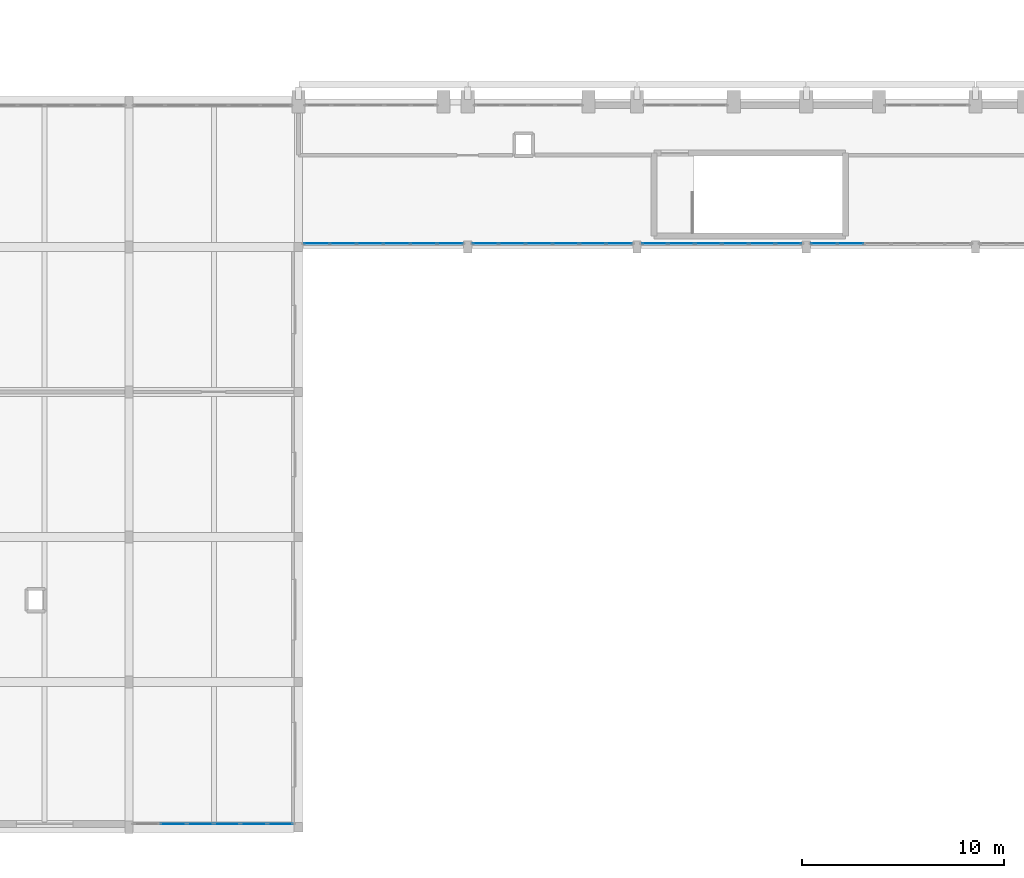
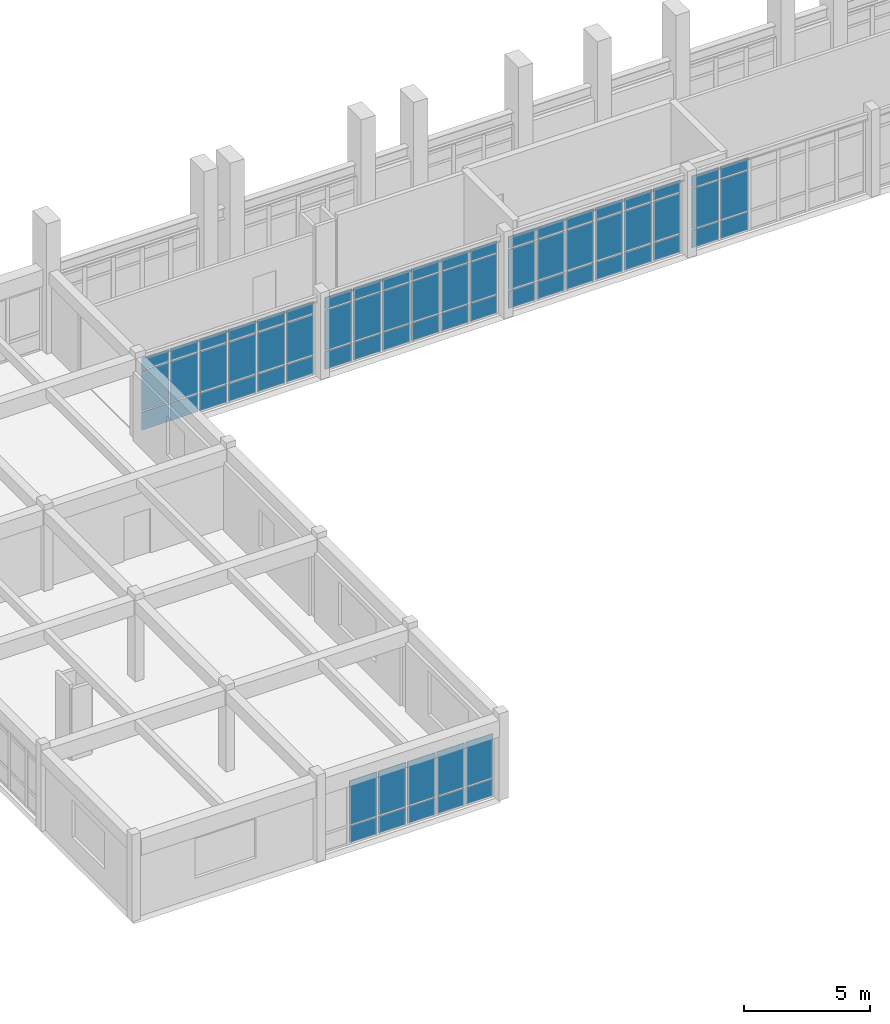
# One storey, part 115 of 147: 70 plates, 5 elements without a shape of their own.
"""IFC4 building model written with IfcOpenShell, lengths in metres."""

from ifc_helpers import new_model, si_unit, direction, frame, origin, origin_2d, place, context, subcontext, project, spatial, rectangle, extrude, material, layer, layer_set, type_object, element, aggregate, save


model = new_model("IFC4")

# Units and contexts
model_context = context("Model", 3, precision=1e-05, world=origin(), true_north=direction((0.0, 1.0)))
body_context = subcontext(model_context, "Body", "Model", "MODEL_VIEW")
ifc_project = project(units=[si_unit("LENGTHUNIT", "METRE"), si_unit("AREAUNIT", "SQUARE_METRE"), si_unit("VOLUMEUNIT", "CUBIC_METRE"), si_unit("PLANEANGLEUNIT", "RADIAN"), si_unit("MASSUNIT", "GRAM", prefix="KILO")], contexts=[model_context])

# Site, building, storey
site_placement = place(None, origin())
site = spatial("IfcSite", under=ifc_project, at=site_placement, CompositionType="ELEMENT")
building_placement = place(site_placement, origin())
building = spatial("IfcBuilding", under=site, at=building_placement, Name="Malvenik Polytechnic", CompositionType="ELEMENT")
storey_placement = place(building_placement, frame((0.0, 0.0, 5.10009765625)))
storey = spatial("IfcBuildingStorey", under=building, at=storey_placement, Name="L01", CompositionType="ELEMENT", Elevation=5.10009765625)

# Curtain wall, plates
ifc_material_1 = material(Name="Anodised aluminium 6060-T6", Category="aluminium")
curtain_wall_type = type_object("IfcCurtainWallType", Name="ARC-CW-CW-02", PredefinedType="NOTDEFINED", material=ifc_material_1)
curtain_wall_1_placement = place(storey_placement, origin())
curtain_wall_1 = element("IfcCurtainWall", 1, at=curtain_wall_1_placement, inside=storey, type_object=curtain_wall_type, Name="Unitised Curtain Wall CW-02 L01 #107", PredefinedType="NOTDEFINED")
ifc_material_2 = material(Name="Insulated low-E double glazing 8-16-8", Category="glass")
ifc_layer_1 = layer(ifc_material_2, 0.028076171875)
ifc_layer_set_1 = layer_set([ifc_layer_1], Name="Insulated low-E double glazing 8-16-8")
plate_type_1 = type_object("IfcPlateType", Name="ARC-CWP-CP-GLZ28", PredefinedType="CURTAIN_PANEL", material=ifc_layer_set_1)
plate_1_placement = place(storey_placement, frame((161.799072265625, 28.969970703125, 0.97998046875), z_axis=(0.0, 0.0, 1.0), x_axis=(-1.0, 0.0, 0.0)))
plate_1 = element("IfcPlate", 2, at=plate_1_placement, type_object=plate_type_1, Name="CW-02 panel 5.2", PredefinedType="CURTAIN_PANEL", context=body_context, shape_type="SweptSolid", body=[
    extrude(rectangle(XDim=1.27392578125, YDim=0.028076171875, at=origin_2d()), origin(), (0.0, 0.0, 1.0), 1.93798828125),
])
plate_2_placement = place(storey_placement, frame((161.799072265625, 28.969970703125, 2.977783203125), z_axis=(0.0, 0.0, 1.0), x_axis=(-1.0, 0.0, 0.0)))
plate_2 = element("IfcPlate", 3, at=plate_2_placement, type_object=plate_type_1, Name="CW-02 panel 5.3", PredefinedType="CURTAIN_PANEL", context=body_context, shape_type="SweptSolid", body=[
    extrude(rectangle(XDim=1.27392578125, YDim=0.028076171875, at=origin_2d()), origin(), (0.0, 0.0, 1.0), 0.56005859375),
])
plate_3_placement = place(storey_placement, frame((160.47998046875, 28.969970703125, 0.97998046875), z_axis=(0.0, 0.0, 1.0), x_axis=(-1.0, 0.0, 0.0)))
plate_3 = element("IfcPlate", 4, at=plate_3_placement, type_object=plate_type_1, Name="CW-02 panel 6.2", PredefinedType="CURTAIN_PANEL", context=body_context, shape_type="SweptSolid", body=[
    extrude(rectangle(XDim=1.243896484375, YDim=0.028076171875, at=origin_2d()), origin(), (0.0, 0.0, 1.0), 1.93798828125),
])
plate_4_placement = place(storey_placement, frame((160.47998046875, 28.969970703125, 2.977783203125), z_axis=(0.0, 0.0, 1.0), x_axis=(-1.0, 0.0, 0.0)))
plate_4 = element("IfcPlate", 5, at=plate_4_placement, type_object=plate_type_1, Name="CW-02 panel 6.3", PredefinedType="CURTAIN_PANEL", context=body_context, shape_type="SweptSolid", body=[
    extrude(rectangle(XDim=1.243896484375, YDim=0.028076171875, at=origin_2d()), origin(), (0.0, 0.0, 1.0), 0.56005859375),
])

curtain_wall_2_placement = place(storey_placement, origin())
curtain_wall_2 = element("IfcCurtainWall", 6, at=curtain_wall_2_placement, inside=storey, type_object=curtain_wall_type, Name="Unitised Curtain Wall CW-02 L01 #108", PredefinedType="NOTDEFINED")
plate_5_placement = place(storey_placement, frame((158.719970703125, 28.969970703125, 0.97998046875), z_axis=(0.0, 0.0, 1.0), x_axis=(-1.0, 0.0, 0.0)))
plate_5 = element("IfcPlate", 7, at=plate_5_placement, type_object=plate_type_1, Name="CW-02 panel 1.2", PredefinedType="CURTAIN_PANEL", context=body_context, shape_type="SweptSolid", body=[
    extrude(rectangle(XDim=1.243896484375, YDim=0.028076171875, at=origin_2d()), origin(), (0.0, 0.0, 1.0), 1.93798828125),
])
plate_6_placement = place(storey_placement, frame((158.719970703125, 28.969970703125, 2.977783203125), z_axis=(0.0, 0.0, 1.0), x_axis=(-1.0, 0.0, 0.0)))
plate_6 = element("IfcPlate", 8, at=plate_6_placement, type_object=plate_type_1, Name="CW-02 panel 1.3", PredefinedType="CURTAIN_PANEL", context=body_context, shape_type="SweptSolid", body=[
    extrude(rectangle(XDim=1.243896484375, YDim=0.028076171875, at=origin_2d()), origin(), (0.0, 0.0, 1.0), 0.56005859375),
])
plate_7_placement = place(storey_placement, frame((157.40087890625, 28.969970703125, 0.97998046875), z_axis=(0.0, 0.0, 1.0), x_axis=(-1.0, 0.0, 0.0)))
plate_7 = element("IfcPlate", 9, at=plate_7_placement, type_object=plate_type_1, Name="CW-02 panel 2.2", PredefinedType="CURTAIN_PANEL", context=body_context, shape_type="SweptSolid", body=[
    extrude(rectangle(XDim=1.27392578125, YDim=0.028076171875, at=origin_2d()), origin(), (0.0, 0.0, 1.0), 1.93798828125),
])
plate_8_placement = place(storey_placement, frame((157.40087890625, 28.969970703125, 2.977783203125), z_axis=(0.0, 0.0, 1.0), x_axis=(-1.0, 0.0, 0.0)))
plate_8 = element("IfcPlate", 10, at=plate_8_placement, type_object=plate_type_1, Name="CW-02 panel 2.3", PredefinedType="CURTAIN_PANEL", context=body_context, shape_type="SweptSolid", body=[
    extrude(rectangle(XDim=1.27392578125, YDim=0.028076171875, at=origin_2d()), origin(), (0.0, 0.0, 1.0), 0.56005859375),
])
plate_9_placement = place(storey_placement, frame((156.06689453125, 28.969970703125, 0.97998046875), z_axis=(0.0, 0.0, 1.0), x_axis=(-1.0, 0.0, 0.0)))
plate_9 = element("IfcPlate", 11, at=plate_9_placement, type_object=plate_type_1, Name="CW-02 panel 3.2", PredefinedType="CURTAIN_PANEL", context=body_context, shape_type="SweptSolid", body=[
    extrude(rectangle(XDim=1.27392578125, YDim=0.028076171875, at=origin_2d()), origin(), (0.0, 0.0, 1.0), 1.93798828125),
])
plate_10_placement = place(storey_placement, frame((156.06689453125, 28.969970703125, 2.977783203125), z_axis=(0.0, 0.0, 1.0), x_axis=(-1.0, 0.0, 0.0)))
plate_10 = element("IfcPlate", 12, at=plate_10_placement, type_object=plate_type_1, Name="CW-02 panel 3.3", PredefinedType="CURTAIN_PANEL", context=body_context, shape_type="SweptSolid", body=[
    extrude(rectangle(XDim=1.27392578125, YDim=0.028076171875, at=origin_2d()), origin(), (0.0, 0.0, 1.0), 0.56005859375),
])
plate_11_placement = place(storey_placement, frame((154.73291015625, 28.969970703125, 0.97998046875), z_axis=(0.0, 0.0, 1.0), x_axis=(-1.0, 0.0, 0.0)))
plate_11 = element("IfcPlate", 13, at=plate_11_placement, type_object=plate_type_1, Name="CW-02 panel 4.2", PredefinedType="CURTAIN_PANEL", context=body_context, shape_type="SweptSolid", body=[
    extrude(rectangle(XDim=1.27392578125, YDim=0.028076171875, at=origin_2d()), origin(), (0.0, 0.0, 1.0), 1.93798828125),
])
plate_12_placement = place(storey_placement, frame((154.73291015625, 28.969970703125, 2.977783203125), z_axis=(0.0, 0.0, 1.0), x_axis=(-1.0, 0.0, 0.0)))
plate_12 = element("IfcPlate", 14, at=plate_12_placement, type_object=plate_type_1, Name="CW-02 panel 4.3", PredefinedType="CURTAIN_PANEL", context=body_context, shape_type="SweptSolid", body=[
    extrude(rectangle(XDim=1.27392578125, YDim=0.028076171875, at=origin_2d()), origin(), (0.0, 0.0, 1.0), 0.56005859375),
])
plate_13_placement = place(storey_placement, frame((153.39892578125, 28.969970703125, 0.97998046875), z_axis=(0.0, 0.0, 1.0), x_axis=(-1.0, 0.0, 0.0)))
plate_13 = element("IfcPlate", 15, at=plate_13_placement, type_object=plate_type_1, Name="CW-02 panel 5.2", PredefinedType="CURTAIN_PANEL", context=body_context, shape_type="SweptSolid", body=[
    extrude(rectangle(XDim=1.27392578125, YDim=0.028076171875, at=origin_2d()), origin(), (0.0, 0.0, 1.0), 1.93798828125),
])
plate_14_placement = place(storey_placement, frame((153.39892578125, 28.969970703125, 2.977783203125), z_axis=(0.0, 0.0, 1.0), x_axis=(-1.0, 0.0, 0.0)))
plate_14 = element("IfcPlate", 16, at=plate_14_placement, type_object=plate_type_1, Name="CW-02 panel 5.3", PredefinedType="CURTAIN_PANEL", context=body_context, shape_type="SweptSolid", body=[
    extrude(rectangle(XDim=1.27392578125, YDim=0.028076171875, at=origin_2d()), origin(), (0.0, 0.0, 1.0), 0.56005859375),
])
plate_15_placement = place(storey_placement, frame((152.080078125, 28.969970703125, 0.97998046875), z_axis=(0.0, 0.0, 1.0), x_axis=(-1.0, 0.0, 0.0)))
plate_15 = element("IfcPlate", 17, at=plate_15_placement, type_object=plate_type_1, Name="CW-02 panel 6.2", PredefinedType="CURTAIN_PANEL", context=body_context, shape_type="SweptSolid", body=[
    extrude(rectangle(XDim=1.243896484375, YDim=0.028076171875, at=origin_2d()), origin(), (0.0, 0.0, 1.0), 1.93798828125),
])
plate_16_placement = place(storey_placement, frame((152.080078125, 28.969970703125, 2.977783203125), z_axis=(0.0, 0.0, 1.0), x_axis=(-1.0, 0.0, 0.0)))
plate_16 = element("IfcPlate", 18, at=plate_16_placement, type_object=plate_type_1, Name="CW-02 panel 6.3", PredefinedType="CURTAIN_PANEL", context=body_context, shape_type="SweptSolid", body=[
    extrude(rectangle(XDim=1.243896484375, YDim=0.028076171875, at=origin_2d()), origin(), (0.0, 0.0, 1.0), 0.56005859375),
])

curtain_wall_3_placement = place(storey_placement, origin())
curtain_wall_3 = element("IfcCurtainWall", 19, at=curtain_wall_3_placement, inside=storey, type_object=curtain_wall_type, Name="Unitised Curtain Wall CW-02 L01 #109", PredefinedType="NOTDEFINED")
plate_17_placement = place(storey_placement, frame((150.320068359375, 28.969970703125, 0.97998046875), z_axis=(0.0, 0.0, 1.0), x_axis=(-1.0, 0.0, 0.0)))
plate_17 = element("IfcPlate", 20, at=plate_17_placement, type_object=plate_type_1, Name="CW-02 panel 1.2", PredefinedType="CURTAIN_PANEL", context=body_context, shape_type="SweptSolid", body=[
    extrude(rectangle(XDim=1.243896484375, YDim=0.028076171875, at=origin_2d()), origin(), (0.0, 0.0, 1.0), 1.93798828125),
])
plate_18_placement = place(storey_placement, frame((150.320068359375, 28.969970703125, 2.977783203125), z_axis=(0.0, 0.0, 1.0), x_axis=(-1.0, 0.0, 0.0)))
plate_18 = element("IfcPlate", 21, at=plate_18_placement, type_object=plate_type_1, Name="CW-02 panel 1.3", PredefinedType="CURTAIN_PANEL", context=body_context, shape_type="SweptSolid", body=[
    extrude(rectangle(XDim=1.243896484375, YDim=0.028076171875, at=origin_2d()), origin(), (0.0, 0.0, 1.0), 0.56005859375),
])
plate_19_placement = place(storey_placement, frame((149.0009765625, 28.969970703125, 0.97998046875), z_axis=(0.0, 0.0, 1.0), x_axis=(-1.0, 0.0, 0.0)))
plate_19 = element("IfcPlate", 22, at=plate_19_placement, type_object=plate_type_1, Name="CW-02 panel 2.2", PredefinedType="CURTAIN_PANEL", context=body_context, shape_type="SweptSolid", body=[
    extrude(rectangle(XDim=1.27392578125, YDim=0.028076171875, at=origin_2d()), origin(), (0.0, 0.0, 1.0), 1.93798828125),
])
plate_20_placement = place(storey_placement, frame((149.0009765625, 28.969970703125, 2.977783203125), z_axis=(0.0, 0.0, 1.0), x_axis=(-1.0, 0.0, 0.0)))
plate_20 = element("IfcPlate", 23, at=plate_20_placement, type_object=plate_type_1, Name="CW-02 panel 2.3", PredefinedType="CURTAIN_PANEL", context=body_context, shape_type="SweptSolid", body=[
    extrude(rectangle(XDim=1.27392578125, YDim=0.028076171875, at=origin_2d()), origin(), (0.0, 0.0, 1.0), 0.56005859375),
])
plate_21_placement = place(storey_placement, frame((147.6669921875, 28.969970703125, 0.97998046875), z_axis=(0.0, 0.0, 1.0), x_axis=(-1.0, 0.0, 0.0)))
plate_21 = element("IfcPlate", 24, at=plate_21_placement, type_object=plate_type_1, Name="CW-02 panel 3.2", PredefinedType="CURTAIN_PANEL", context=body_context, shape_type="SweptSolid", body=[
    extrude(rectangle(XDim=1.27392578125, YDim=0.028076171875, at=origin_2d()), origin(), (0.0, 0.0, 1.0), 1.93798828125),
])
plate_22_placement = place(storey_placement, frame((147.6669921875, 28.969970703125, 2.977783203125), z_axis=(0.0, 0.0, 1.0), x_axis=(-1.0, 0.0, 0.0)))
plate_22 = element("IfcPlate", 25, at=plate_22_placement, type_object=plate_type_1, Name="CW-02 panel 3.3", PredefinedType="CURTAIN_PANEL", context=body_context, shape_type="SweptSolid", body=[
    extrude(rectangle(XDim=1.27392578125, YDim=0.028076171875, at=origin_2d()), origin(), (0.0, 0.0, 1.0), 0.56005859375),
])
plate_23_placement = place(storey_placement, frame((146.3330078125, 28.969970703125, 0.97998046875), z_axis=(0.0, 0.0, 1.0), x_axis=(-1.0, 0.0, 0.0)))
plate_23 = element("IfcPlate", 26, at=plate_23_placement, type_object=plate_type_1, Name="CW-02 panel 4.2", PredefinedType="CURTAIN_PANEL", context=body_context, shape_type="SweptSolid", body=[
    extrude(rectangle(XDim=1.27392578125, YDim=0.028076171875, at=origin_2d()), origin(), (0.0, 0.0, 1.0), 1.93798828125),
])
plate_24_placement = place(storey_placement, frame((146.3330078125, 28.969970703125, 2.977783203125), z_axis=(0.0, 0.0, 1.0), x_axis=(-1.0, 0.0, 0.0)))
plate_24 = element("IfcPlate", 27, at=plate_24_placement, type_object=plate_type_1, Name="CW-02 panel 4.3", PredefinedType="CURTAIN_PANEL", context=body_context, shape_type="SweptSolid", body=[
    extrude(rectangle(XDim=1.27392578125, YDim=0.028076171875, at=origin_2d()), origin(), (0.0, 0.0, 1.0), 0.56005859375),
])
plate_25_placement = place(storey_placement, frame((144.9990234375, 28.969970703125, 0.97998046875), z_axis=(0.0, 0.0, 1.0), x_axis=(-1.0, 0.0, 0.0)))
plate_25 = element("IfcPlate", 28, at=plate_25_placement, type_object=plate_type_1, Name="CW-02 panel 5.2", PredefinedType="CURTAIN_PANEL", context=body_context, shape_type="SweptSolid", body=[
    extrude(rectangle(XDim=1.27392578125, YDim=0.028076171875, at=origin_2d()), origin(), (0.0, 0.0, 1.0), 1.93798828125),
])
plate_26_placement = place(storey_placement, frame((144.9990234375, 28.969970703125, 2.977783203125), z_axis=(0.0, 0.0, 1.0), x_axis=(-1.0, 0.0, 0.0)))
plate_26 = element("IfcPlate", 29, at=plate_26_placement, type_object=plate_type_1, Name="CW-02 panel 5.3", PredefinedType="CURTAIN_PANEL", context=body_context, shape_type="SweptSolid", body=[
    extrude(rectangle(XDim=1.27392578125, YDim=0.028076171875, at=origin_2d()), origin(), (0.0, 0.0, 1.0), 0.56005859375),
])
plate_27_placement = place(storey_placement, frame((143.679931640625, 28.969970703125, 0.97998046875), z_axis=(0.0, 0.0, 1.0), x_axis=(-1.0, 0.0, 0.0)))
plate_27 = element("IfcPlate", 30, at=plate_27_placement, type_object=plate_type_1, Name="CW-02 panel 6.2", PredefinedType="CURTAIN_PANEL", context=body_context, shape_type="SweptSolid", body=[
    extrude(rectangle(XDim=1.243896484375, YDim=0.028076171875, at=origin_2d()), origin(), (0.0, 0.0, 1.0), 1.93798828125),
])
plate_28_placement = place(storey_placement, frame((143.679931640625, 28.969970703125, 2.977783203125), z_axis=(0.0, 0.0, 1.0), x_axis=(-1.0, 0.0, 0.0)))
plate_28 = element("IfcPlate", 31, at=plate_28_placement, type_object=plate_type_1, Name="CW-02 panel 6.3", PredefinedType="CURTAIN_PANEL", context=body_context, shape_type="SweptSolid", body=[
    extrude(rectangle(XDim=1.243896484375, YDim=0.028076171875, at=origin_2d()), origin(), (0.0, 0.0, 1.0), 0.56005859375),
])

curtain_wall_4_placement = place(storey_placement, origin())
curtain_wall_4 = element("IfcCurtainWall", 32, at=curtain_wall_4_placement, inside=storey, type_object=curtain_wall_type, Name="Unitised Curtain Wall CW-02 L01 #110", PredefinedType="NOTDEFINED")
plate_29_placement = place(storey_placement, frame((141.922119140625, 28.969970703125, 0.97998046875), z_axis=(0.0, 0.0, 1.0), x_axis=(-1.0, 0.0, 0.0)))
plate_29 = element("IfcPlate", 33, at=plate_29_placement, type_object=plate_type_1, Name="CW-02 panel 1.2", PredefinedType="CURTAIN_PANEL", context=body_context, shape_type="SweptSolid", body=[
    extrude(rectangle(XDim=1.23974609375, YDim=0.028076171875, at=origin_2d()), origin(), (0.0, 0.0, 1.0), 1.93798828125),
])
plate_30_placement = place(storey_placement, frame((141.922119140625, 28.969970703125, 2.977783203125), z_axis=(0.0, 0.0, 1.0), x_axis=(-1.0, 0.0, 0.0)))
plate_30 = element("IfcPlate", 34, at=plate_30_placement, type_object=plate_type_1, Name="CW-02 panel 1.3", PredefinedType="CURTAIN_PANEL", context=body_context, shape_type="SweptSolid", body=[
    extrude(rectangle(XDim=1.23974609375, YDim=0.028076171875, at=origin_2d()), origin(), (0.0, 0.0, 1.0), 0.56005859375),
])
plate_31_placement = place(storey_placement, frame((140.607177734375, 28.969970703125, 0.97998046875), z_axis=(0.0, 0.0, 1.0), x_axis=(-1.0, 0.0, 0.0)))
plate_31 = element("IfcPlate", 35, at=plate_31_placement, type_object=plate_type_1, Name="CW-02 panel 2.2", PredefinedType="CURTAIN_PANEL", context=body_context, shape_type="SweptSolid", body=[
    extrude(rectangle(XDim=1.269775390625, YDim=0.028076171875, at=origin_2d()), origin(), (0.0, 0.0, 1.0), 1.93798828125),
])
plate_32_placement = place(storey_placement, frame((140.607177734375, 28.969970703125, 2.977783203125), z_axis=(0.0, 0.0, 1.0), x_axis=(-1.0, 0.0, 0.0)))
plate_32 = element("IfcPlate", 36, at=plate_32_placement, type_object=plate_type_1, Name="CW-02 panel 2.3", PredefinedType="CURTAIN_PANEL", context=body_context, shape_type="SweptSolid", body=[
    extrude(rectangle(XDim=1.269775390625, YDim=0.028076171875, at=origin_2d()), origin(), (0.0, 0.0, 1.0), 0.56005859375),
])
plate_33_placement = place(storey_placement, frame((139.27734375, 28.969970703125, 0.97998046875), z_axis=(0.0, 0.0, 1.0), x_axis=(-1.0, 0.0, 0.0)))
plate_33 = element("IfcPlate", 37, at=plate_33_placement, type_object=plate_type_1, Name="CW-02 panel 3.2", PredefinedType="CURTAIN_PANEL", context=body_context, shape_type="SweptSolid", body=[
    extrude(rectangle(XDim=1.269775390625, YDim=0.028076171875, at=origin_2d()), origin(), (0.0, 0.0, 1.0), 1.93798828125),
])
plate_34_placement = place(storey_placement, frame((139.27734375, 28.969970703125, 2.977783203125), z_axis=(0.0, 0.0, 1.0), x_axis=(-1.0, 0.0, 0.0)))
plate_34 = element("IfcPlate", 38, at=plate_34_placement, type_object=plate_type_1, Name="CW-02 panel 3.3", PredefinedType="CURTAIN_PANEL", context=body_context, shape_type="SweptSolid", body=[
    extrude(rectangle(XDim=1.269775390625, YDim=0.028076171875, at=origin_2d()), origin(), (0.0, 0.0, 1.0), 0.56005859375),
])
plate_35_placement = place(storey_placement, frame((137.947509765625, 28.969970703125, 0.97998046875), z_axis=(0.0, 0.0, 1.0), x_axis=(-1.0, 0.0, 0.0)))
plate_35 = element("IfcPlate", 39, at=plate_35_placement, type_object=plate_type_1, Name="CW-02 panel 4.2", PredefinedType="CURTAIN_PANEL", context=body_context, shape_type="SweptSolid", body=[
    extrude(rectangle(XDim=1.269775390625, YDim=0.028076171875, at=origin_2d()), origin(), (0.0, 0.0, 1.0), 1.93798828125),
])
plate_36_placement = place(storey_placement, frame((137.947509765625, 28.969970703125, 2.977783203125), z_axis=(0.0, 0.0, 1.0), x_axis=(-1.0, 0.0, 0.0)))
plate_36 = element("IfcPlate", 40, at=plate_36_placement, type_object=plate_type_1, Name="CW-02 panel 4.3", PredefinedType="CURTAIN_PANEL", context=body_context, shape_type="SweptSolid", body=[
    extrude(rectangle(XDim=1.269775390625, YDim=0.028076171875, at=origin_2d()), origin(), (0.0, 0.0, 1.0), 0.56005859375),
])
plate_37_placement = place(storey_placement, frame((136.61767578125, 28.969970703125, 0.97998046875), z_axis=(0.0, 0.0, 1.0), x_axis=(-1.0, 0.0, 0.0)))
plate_37 = element("IfcPlate", 41, at=plate_37_placement, type_object=plate_type_1, Name="CW-02 panel 5.2", PredefinedType="CURTAIN_PANEL", context=body_context, shape_type="SweptSolid", body=[
    extrude(rectangle(XDim=1.269775390625, YDim=0.028076171875, at=origin_2d()), origin(), (0.0, 0.0, 1.0), 1.93798828125),
])
plate_38_placement = place(storey_placement, frame((136.61767578125, 28.969970703125, 2.977783203125), z_axis=(0.0, 0.0, 1.0), x_axis=(-1.0, 0.0, 0.0)))
plate_38 = element("IfcPlate", 42, at=plate_38_placement, type_object=plate_type_1, Name="CW-02 panel 5.3", PredefinedType="CURTAIN_PANEL", context=body_context, shape_type="SweptSolid", body=[
    extrude(rectangle(XDim=1.269775390625, YDim=0.028076171875, at=origin_2d()), origin(), (0.0, 0.0, 1.0), 0.56005859375),
])
plate_39_placement = place(storey_placement, frame((135.302978515625, 28.969970703125, 0.97998046875), z_axis=(0.0, 0.0, 1.0), x_axis=(-1.0, 0.0, 0.0)))
plate_39 = element("IfcPlate", 43, at=plate_39_placement, type_object=plate_type_1, Name="CW-02 panel 6.2", PredefinedType="CURTAIN_PANEL", context=body_context, shape_type="SweptSolid", body=[
    extrude(rectangle(XDim=1.23974609375, YDim=0.028076171875, at=origin_2d()), origin(), (0.0, 0.0, 1.0), 1.93798828125),
])
plate_40_placement = place(storey_placement, frame((135.302978515625, 28.969970703125, 2.977783203125), z_axis=(0.0, 0.0, 1.0), x_axis=(-1.0, 0.0, 0.0)))
plate_40 = element("IfcPlate", 44, at=plate_40_placement, type_object=plate_type_1, Name="CW-02 panel 6.3", PredefinedType="CURTAIN_PANEL", context=body_context, shape_type="SweptSolid", body=[
    extrude(rectangle(XDim=1.23974609375, YDim=0.028076171875, at=origin_2d()), origin(), (0.0, 0.0, 1.0), 0.56005859375),
])

curtain_wall_5_placement = place(storey_placement, origin())
curtain_wall_5 = element("IfcCurtainWall", 45, at=curtain_wall_5_placement, inside=storey, type_object=curtain_wall_type, Name="Unitised Curtain Wall CW-02 L01 #111", PredefinedType="NOTDEFINED")
plate_41_placement = place(storey_placement, frame((133.4970703125, 0.169921875, 0.929931640625), z_axis=(0.0, 0.0, 1.0), x_axis=(-1.0, 0.0, 0.0)))
plate_41 = element("IfcPlate", 46, at=plate_41_placement, type_object=plate_type_1, Name="CW-02 panel 1.2", PredefinedType="CURTAIN_PANEL", context=body_context, shape_type="SweptSolid", body=[
    extrude(rectangle(XDim=1.23974609375, YDim=0.028076171875, at=origin_2d()), origin(), (0.0, 0.0, 1.0), 2.1201171875),
])
plate_42_placement = place(storey_placement, frame((132.18212890625, 0.169921875, 0.929931640625), z_axis=(0.0, 0.0, 1.0), x_axis=(-1.0, 0.0, 0.0)))
plate_42 = element("IfcPlate", 47, at=plate_42_placement, type_object=plate_type_1, Name="CW-02 panel 2.2", PredefinedType="CURTAIN_PANEL", context=body_context, shape_type="SweptSolid", body=[
    extrude(rectangle(XDim=1.269775390625, YDim=0.028076171875, at=origin_2d()), origin(), (0.0, 0.0, 1.0), 2.1201171875),
])
plate_43_placement = place(storey_placement, frame((130.852294921875, 0.169921875, 0.929931640625), z_axis=(0.0, 0.0, 1.0), x_axis=(-1.0, 0.0, 0.0)))
plate_43 = element("IfcPlate", 48, at=plate_43_placement, type_object=plate_type_1, Name="CW-02 panel 3.2", PredefinedType="CURTAIN_PANEL", context=body_context, shape_type="SweptSolid", body=[
    extrude(rectangle(XDim=1.269775390625, YDim=0.028076171875, at=origin_2d()), origin(), (0.0, 0.0, 1.0), 2.1201171875),
])
plate_44_placement = place(storey_placement, frame((129.522705078125, 0.169921875, 0.929931640625), z_axis=(0.0, 0.0, 1.0), x_axis=(-1.0, 0.0, 0.0)))
plate_44 = element("IfcPlate", 49, at=plate_44_placement, type_object=plate_type_1, Name="CW-02 panel 4.2", PredefinedType="CURTAIN_PANEL", context=body_context, shape_type="SweptSolid", body=[
    extrude(rectangle(XDim=1.269775390625, YDim=0.028076171875, at=origin_2d()), origin(), (0.0, 0.0, 1.0), 2.1201171875),
])
plate_45_placement = place(storey_placement, frame((128.19287109375, 0.169921875, 0.929931640625), z_axis=(0.0, 0.0, 1.0), x_axis=(-1.0, 0.0, 0.0)))
plate_45 = element("IfcPlate", 50, at=plate_45_placement, type_object=plate_type_1, Name="CW-02 panel 5.2", PredefinedType="CURTAIN_PANEL", context=body_context, shape_type="SweptSolid", body=[
    extrude(rectangle(XDim=1.269775390625, YDim=0.028076171875, at=origin_2d()), origin(), (0.0, 0.0, 1.0), 2.1201171875),
])

# Plate
ifc_material_3 = material(Name="Insulated aluminium spandrel cassette 42mm", Category="aluminium")
ifc_layer_2 = layer(ifc_material_3, 0.0419921875)
ifc_layer_set_2 = layer_set([ifc_layer_2], Name="Insulated aluminium spandrel cassette 42mm")
plate_type_2 = type_object("IfcPlateType", Name="ARC-CWP-CP-SPN42", PredefinedType="CURTAIN_PANEL", material=ifc_layer_set_2)
plate_46_placement = place(storey_placement, frame((161.799072265625, 28.969970703125, 0.06005859375), z_axis=(0.0, 0.0, 1.0), x_axis=(-1.0, 0.0, 0.0)))
plate_46 = element("IfcPlate", 51, at=plate_46_placement, type_object=plate_type_2, Name="CW-02 panel 5.1", PredefinedType="CURTAIN_PANEL", context=body_context, shape_type="SweptSolid", body=[
    extrude(rectangle(XDim=1.27392578125, YDim=0.028076171875, at=origin_2d()), origin(), (0.0, 0.0, 1.0), 0.860107421875),
])

plate_47_placement = place(storey_placement, frame((160.47998046875, 28.969970703125, 0.06005859375), z_axis=(0.0, 0.0, 1.0), x_axis=(-1.0, 0.0, 0.0)))
plate_47 = element("IfcPlate", 52, at=plate_47_placement, type_object=plate_type_2, Name="CW-02 panel 6.1", PredefinedType="CURTAIN_PANEL", context=body_context, shape_type="SweptSolid", body=[
    extrude(rectangle(XDim=1.243896484375, YDim=0.028076171875, at=origin_2d()), origin(), (0.0, 0.0, 1.0), 0.860107421875),
])

aggregate(curtain_wall_1, [plate_46, plate_1, plate_2, plate_47, plate_3, plate_4])

plate_48_placement = place(storey_placement, frame((158.719970703125, 28.969970703125, 0.06005859375), z_axis=(0.0, 0.0, 1.0), x_axis=(-1.0, 0.0, 0.0)))
plate_48 = element("IfcPlate", 53, at=plate_48_placement, type_object=plate_type_2, Name="CW-02 panel 1.1", PredefinedType="CURTAIN_PANEL", context=body_context, shape_type="SweptSolid", body=[
    extrude(rectangle(XDim=1.243896484375, YDim=0.028076171875, at=origin_2d()), origin(), (0.0, 0.0, 1.0), 0.860107421875),
])

plate_49_placement = place(storey_placement, frame((157.40087890625, 28.969970703125, 0.06005859375), z_axis=(0.0, 0.0, 1.0), x_axis=(-1.0, 0.0, 0.0)))
plate_49 = element("IfcPlate", 54, at=plate_49_placement, type_object=plate_type_2, Name="CW-02 panel 2.1", PredefinedType="CURTAIN_PANEL", context=body_context, shape_type="SweptSolid", body=[
    extrude(rectangle(XDim=1.27392578125, YDim=0.028076171875, at=origin_2d()), origin(), (0.0, 0.0, 1.0), 0.860107421875),
])

plate_50_placement = place(storey_placement, frame((156.06689453125, 28.969970703125, 0.06005859375), z_axis=(0.0, 0.0, 1.0), x_axis=(-1.0, 0.0, 0.0)))
plate_50 = element("IfcPlate", 55, at=plate_50_placement, type_object=plate_type_2, Name="CW-02 panel 3.1", PredefinedType="CURTAIN_PANEL", context=body_context, shape_type="SweptSolid", body=[
    extrude(rectangle(XDim=1.27392578125, YDim=0.028076171875, at=origin_2d()), origin(), (0.0, 0.0, 1.0), 0.860107421875),
])

plate_51_placement = place(storey_placement, frame((154.73291015625, 28.969970703125, 0.06005859375), z_axis=(0.0, 0.0, 1.0), x_axis=(-1.0, 0.0, 0.0)))
plate_51 = element("IfcPlate", 56, at=plate_51_placement, type_object=plate_type_2, Name="CW-02 panel 4.1", PredefinedType="CURTAIN_PANEL", context=body_context, shape_type="SweptSolid", body=[
    extrude(rectangle(XDim=1.27392578125, YDim=0.028076171875, at=origin_2d()), origin(), (0.0, 0.0, 1.0), 0.860107421875),
])

plate_52_placement = place(storey_placement, frame((153.39892578125, 28.969970703125, 0.06005859375), z_axis=(0.0, 0.0, 1.0), x_axis=(-1.0, 0.0, 0.0)))
plate_52 = element("IfcPlate", 57, at=plate_52_placement, type_object=plate_type_2, Name="CW-02 panel 5.1", PredefinedType="CURTAIN_PANEL", context=body_context, shape_type="SweptSolid", body=[
    extrude(rectangle(XDim=1.27392578125, YDim=0.028076171875, at=origin_2d()), origin(), (0.0, 0.0, 1.0), 0.860107421875),
])

plate_53_placement = place(storey_placement, frame((152.080078125, 28.969970703125, 0.06005859375), z_axis=(0.0, 0.0, 1.0), x_axis=(-1.0, 0.0, 0.0)))
plate_53 = element("IfcPlate", 58, at=plate_53_placement, type_object=plate_type_2, Name="CW-02 panel 6.1", PredefinedType="CURTAIN_PANEL", context=body_context, shape_type="SweptSolid", body=[
    extrude(rectangle(XDim=1.243896484375, YDim=0.028076171875, at=origin_2d()), origin(), (0.0, 0.0, 1.0), 0.860107421875),
])

aggregate(curtain_wall_2, [plate_48, plate_5, plate_6, plate_49, plate_7, plate_8, plate_50, plate_9, plate_10, plate_51, plate_11, plate_12, plate_52, plate_13, plate_14, plate_53, plate_15, plate_16])

plate_54_placement = place(storey_placement, frame((150.320068359375, 28.969970703125, 0.06005859375), z_axis=(0.0, 0.0, 1.0), x_axis=(-1.0, 0.0, 0.0)))
plate_54 = element("IfcPlate", 59, at=plate_54_placement, type_object=plate_type_2, Name="CW-02 panel 1.1", PredefinedType="CURTAIN_PANEL", context=body_context, shape_type="SweptSolid", body=[
    extrude(rectangle(XDim=1.243896484375, YDim=0.028076171875, at=origin_2d()), origin(), (0.0, 0.0, 1.0), 0.860107421875),
])

plate_55_placement = place(storey_placement, frame((149.0009765625, 28.969970703125, 0.06005859375), z_axis=(0.0, 0.0, 1.0), x_axis=(-1.0, 0.0, 0.0)))
plate_55 = element("IfcPlate", 60, at=plate_55_placement, type_object=plate_type_2, Name="CW-02 panel 2.1", PredefinedType="CURTAIN_PANEL", context=body_context, shape_type="SweptSolid", body=[
    extrude(rectangle(XDim=1.27392578125, YDim=0.028076171875, at=origin_2d()), origin(), (0.0, 0.0, 1.0), 0.860107421875),
])

plate_56_placement = place(storey_placement, frame((147.6669921875, 28.969970703125, 0.06005859375), z_axis=(0.0, 0.0, 1.0), x_axis=(-1.0, 0.0, 0.0)))
plate_56 = element("IfcPlate", 61, at=plate_56_placement, type_object=plate_type_2, Name="CW-02 panel 3.1", PredefinedType="CURTAIN_PANEL", context=body_context, shape_type="SweptSolid", body=[
    extrude(rectangle(XDim=1.27392578125, YDim=0.028076171875, at=origin_2d()), origin(), (0.0, 0.0, 1.0), 0.860107421875),
])

plate_57_placement = place(storey_placement, frame((146.3330078125, 28.969970703125, 0.06005859375), z_axis=(0.0, 0.0, 1.0), x_axis=(-1.0, 0.0, 0.0)))
plate_57 = element("IfcPlate", 62, at=plate_57_placement, type_object=plate_type_2, Name="CW-02 panel 4.1", PredefinedType="CURTAIN_PANEL", context=body_context, shape_type="SweptSolid", body=[
    extrude(rectangle(XDim=1.27392578125, YDim=0.028076171875, at=origin_2d()), origin(), (0.0, 0.0, 1.0), 0.860107421875),
])

plate_58_placement = place(storey_placement, frame((144.9990234375, 28.969970703125, 0.06005859375), z_axis=(0.0, 0.0, 1.0), x_axis=(-1.0, 0.0, 0.0)))
plate_58 = element("IfcPlate", 63, at=plate_58_placement, type_object=plate_type_2, Name="CW-02 panel 5.1", PredefinedType="CURTAIN_PANEL", context=body_context, shape_type="SweptSolid", body=[
    extrude(rectangle(XDim=1.27392578125, YDim=0.028076171875, at=origin_2d()), origin(), (0.0, 0.0, 1.0), 0.860107421875),
])

plate_59_placement = place(storey_placement, frame((143.679931640625, 28.969970703125, 0.06005859375), z_axis=(0.0, 0.0, 1.0), x_axis=(-1.0, 0.0, 0.0)))
plate_59 = element("IfcPlate", 64, at=plate_59_placement, type_object=plate_type_2, Name="CW-02 panel 6.1", PredefinedType="CURTAIN_PANEL", context=body_context, shape_type="SweptSolid", body=[
    extrude(rectangle(XDim=1.243896484375, YDim=0.028076171875, at=origin_2d()), origin(), (0.0, 0.0, 1.0), 0.860107421875),
])

aggregate(curtain_wall_3, [plate_54, plate_17, plate_18, plate_55, plate_19, plate_20, plate_56, plate_21, plate_22, plate_57, plate_23, plate_24, plate_58, plate_25, plate_26, plate_59, plate_27, plate_28])

plate_60_placement = place(storey_placement, frame((141.922119140625, 28.969970703125, 0.06005859375), z_axis=(0.0, 0.0, 1.0), x_axis=(-1.0, 0.0, 0.0)))
plate_60 = element("IfcPlate", 65, at=plate_60_placement, type_object=plate_type_2, Name="CW-02 panel 1.1", PredefinedType="CURTAIN_PANEL", context=body_context, shape_type="SweptSolid", body=[
    extrude(rectangle(XDim=1.23974609375, YDim=0.028076171875, at=origin_2d()), origin(), (0.0, 0.0, 1.0), 0.860107421875),
])

plate_61_placement = place(storey_placement, frame((140.607177734375, 28.969970703125, 0.06005859375), z_axis=(0.0, 0.0, 1.0), x_axis=(-1.0, 0.0, 0.0)))
plate_61 = element("IfcPlate", 66, at=plate_61_placement, type_object=plate_type_2, Name="CW-02 panel 2.1", PredefinedType="CURTAIN_PANEL", context=body_context, shape_type="SweptSolid", body=[
    extrude(rectangle(XDim=1.269775390625, YDim=0.028076171875, at=origin_2d()), origin(), (0.0, 0.0, 1.0), 0.860107421875),
])

plate_62_placement = place(storey_placement, frame((139.27734375, 28.969970703125, 0.06005859375), z_axis=(0.0, 0.0, 1.0), x_axis=(-1.0, 0.0, 0.0)))
plate_62 = element("IfcPlate", 67, at=plate_62_placement, type_object=plate_type_2, Name="CW-02 panel 3.1", PredefinedType="CURTAIN_PANEL", context=body_context, shape_type="SweptSolid", body=[
    extrude(rectangle(XDim=1.269775390625, YDim=0.028076171875, at=origin_2d()), origin(), (0.0, 0.0, 1.0), 0.860107421875),
])

plate_63_placement = place(storey_placement, frame((137.947509765625, 28.969970703125, 0.06005859375), z_axis=(0.0, 0.0, 1.0), x_axis=(-1.0, 0.0, 0.0)))
plate_63 = element("IfcPlate", 68, at=plate_63_placement, type_object=plate_type_2, Name="CW-02 panel 4.1", PredefinedType="CURTAIN_PANEL", context=body_context, shape_type="SweptSolid", body=[
    extrude(rectangle(XDim=1.269775390625, YDim=0.028076171875, at=origin_2d()), origin(), (0.0, 0.0, 1.0), 0.860107421875),
])

plate_64_placement = place(storey_placement, frame((136.61767578125, 28.969970703125, 0.06005859375), z_axis=(0.0, 0.0, 1.0), x_axis=(-1.0, 0.0, 0.0)))
plate_64 = element("IfcPlate", 69, at=plate_64_placement, type_object=plate_type_2, Name="CW-02 panel 5.1", PredefinedType="CURTAIN_PANEL", context=body_context, shape_type="SweptSolid", body=[
    extrude(rectangle(XDim=1.269775390625, YDim=0.028076171875, at=origin_2d()), origin(), (0.0, 0.0, 1.0), 0.860107421875),
])

plate_65_placement = place(storey_placement, frame((135.302978515625, 28.969970703125, 0.06005859375), z_axis=(0.0, 0.0, 1.0), x_axis=(-1.0, 0.0, 0.0)))
plate_65 = element("IfcPlate", 70, at=plate_65_placement, type_object=plate_type_2, Name="CW-02 panel 6.1", PredefinedType="CURTAIN_PANEL", context=body_context, shape_type="SweptSolid", body=[
    extrude(rectangle(XDim=1.23974609375, YDim=0.028076171875, at=origin_2d()), origin(), (0.0, 0.0, 1.0), 0.860107421875),
])

aggregate(curtain_wall_4, [plate_60, plate_29, plate_30, plate_61, plate_31, plate_32, plate_62, plate_33, plate_34, plate_63, plate_35, plate_36, plate_64, plate_37, plate_38, plate_65, plate_39, plate_40])

plate_66_placement = place(storey_placement, frame((133.4970703125, 0.169921875, 0.059814453125), z_axis=(0.0, 0.0, 1.0), x_axis=(-1.0, 0.0, 0.0)))
plate_66 = element("IfcPlate", 71, at=plate_66_placement, type_object=plate_type_2, Name="CW-02 panel 1.1", PredefinedType="CURTAIN_PANEL", context=body_context, shape_type="SweptSolid", body=[
    extrude(rectangle(XDim=1.23974609375, YDim=0.028076171875, at=origin_2d()), origin(), (0.0, 0.0, 1.0), 0.81005859375),
])

plate_67_placement = place(storey_placement, frame((132.18212890625, 0.169921875, 0.059814453125), z_axis=(0.0, 0.0, 1.0), x_axis=(-1.0, 0.0, 0.0)))
plate_67 = element("IfcPlate", 72, at=plate_67_placement, type_object=plate_type_2, Name="CW-02 panel 2.1", PredefinedType="CURTAIN_PANEL", context=body_context, shape_type="SweptSolid", body=[
    extrude(rectangle(XDim=1.269775390625, YDim=0.028076171875, at=origin_2d()), origin(), (0.0, 0.0, 1.0), 0.81005859375),
])

plate_68_placement = place(storey_placement, frame((130.852294921875, 0.169921875, 0.059814453125), z_axis=(0.0, 0.0, 1.0), x_axis=(-1.0, 0.0, 0.0)))
plate_68 = element("IfcPlate", 73, at=plate_68_placement, type_object=plate_type_2, Name="CW-02 panel 3.1", PredefinedType="CURTAIN_PANEL", context=body_context, shape_type="SweptSolid", body=[
    extrude(rectangle(XDim=1.269775390625, YDim=0.028076171875, at=origin_2d()), origin(), (0.0, 0.0, 1.0), 0.81005859375),
])

plate_69_placement = place(storey_placement, frame((129.522705078125, 0.169921875, 0.059814453125), z_axis=(0.0, 0.0, 1.0), x_axis=(-1.0, 0.0, 0.0)))
plate_69 = element("IfcPlate", 74, at=plate_69_placement, type_object=plate_type_2, Name="CW-02 panel 4.1", PredefinedType="CURTAIN_PANEL", context=body_context, shape_type="SweptSolid", body=[
    extrude(rectangle(XDim=1.269775390625, YDim=0.028076171875, at=origin_2d()), origin(), (0.0, 0.0, 1.0), 0.81005859375),
])

plate_70_placement = place(storey_placement, frame((128.19287109375, 0.169921875, 0.059814453125), z_axis=(0.0, 0.0, 1.0), x_axis=(-1.0, 0.0, 0.0)))
plate_70 = element("IfcPlate", 75, at=plate_70_placement, type_object=plate_type_2, Name="CW-02 panel 5.1", PredefinedType="CURTAIN_PANEL", context=body_context, shape_type="SweptSolid", body=[
    extrude(rectangle(XDim=1.269775390625, YDim=0.028076171875, at=origin_2d()), origin(), (0.0, 0.0, 1.0), 0.81005859375),
])

aggregate(curtain_wall_5, [plate_66, plate_41, plate_67, plate_42, plate_68, plate_43, plate_69, plate_44, plate_70, plate_45])

save(model, "model.ifc")
